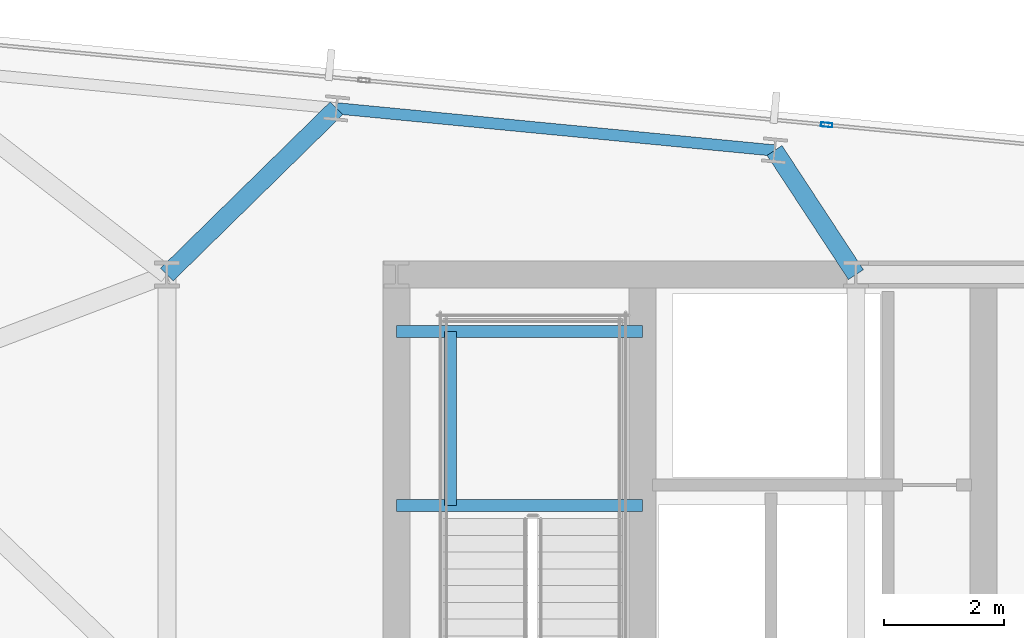
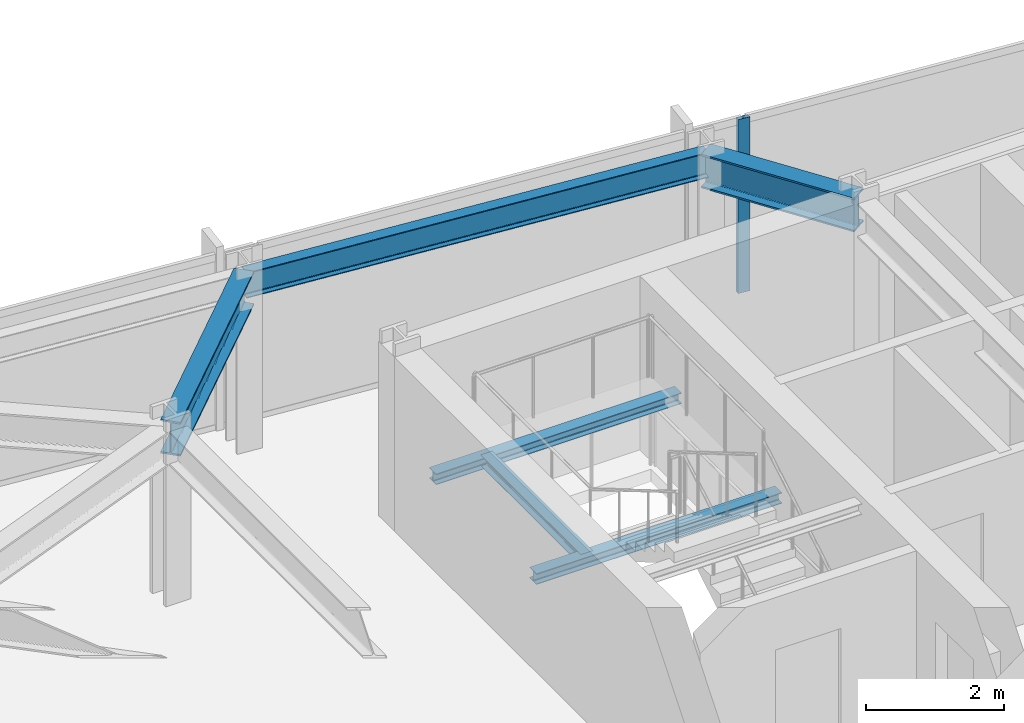
# One storey, part 24 of 37: 6 beams, 1 member, 1 element without a shape of its own.
"""IFC4 building model written with IfcOpenShell, lengths in metres."""

from ifc_helpers import new_model, si_unit, direction, frame, origin, origin_2d, place, context, subcontext, project, spatial, hollow_rectangle, i_section, extrude, material, material_profile, profile_set, type_object, element, aggregate, save


model = new_model("IFC4")

# Units and contexts
model_context = context("Model", 3, precision=1e-05, world=origin(), true_north=direction((0.0, 1.0)))
body_context = subcontext(model_context, "Body", "Model", "MODEL_VIEW")
ifc_project = project(units=[si_unit("LENGTHUNIT", "METRE"), si_unit("AREAUNIT", "SQUARE_METRE"), si_unit("VOLUMEUNIT", "CUBIC_METRE"), si_unit("PLANEANGLEUNIT", "RADIAN"), si_unit("MASSUNIT", "GRAM", prefix="KILO")], contexts=[model_context])

# Site, building, storey
site_placement = place(None, origin())
site = spatial("IfcSite", under=ifc_project, at=site_placement, CompositionType="ELEMENT")
building_placement = place(site_placement, origin())
building = spatial("IfcBuilding", under=site, at=building_placement, Name="Yelkora Congress Tower", CompositionType="ELEMENT")
storey_placement = place(building_placement, frame((0.0, 0.0, 168.800048828125)))
storey = spatial("IfcBuildingStorey", under=building, at=storey_placement, Name="L46", CompositionType="ELEMENT", Elevation=168.800048828125)

# Beams
ifc_material_1 = material(Name="Steel S355J2", Category="steel")
ifc_material_profile_1 = material_profile(ifc_material_1, i_section(OverallWidth=0.300048828125, OverallDepth=0.60009765625, WebThickness=0.015380859375, FlangeThickness=0.030029296875, FilletRadius=0.027099609375, at=origin_2d()), Name="HEB 600")
ifc_profile_set_1 = profile_set([ifc_material_profile_1], Name="Steel S355J2")
beam_type_1 = type_object("IfcBeamType", Name="BM-GIRD-HEB600", PredefinedType="BEAM", material=ifc_profile_set_1)
beam_1_placement = place(storey_placement, frame((22.035400390625, 48.980224609375, 2.780029296875), z_axis=(-0.714019806588, -0.700125500036, 0.0), x_axis=(0.700125500036, -0.714019806588, 0.0)))
element("IfcBeam", 1, at=beam_1_placement, inside=storey, type_object=beam_type_1, Name="L46 Primary Frame Girder N03", PredefinedType="BEAM", context=body_context, shape_type="SweptSolid", body=[
    extrude(i_section(OverallWidth=0.300048828125, OverallDepth=0.60009765625, WebThickness=0.015380859375, FlangeThickness=0.030029296875, FilletRadius=0.027099609375, at=origin_2d()), origin(), (0.0, 0.0, 1.0), 3.97119140625),
])
beam_2_placement = place(storey_placement, frame((29.358642578125, 48.275146484375, 2.780029296875), z_axis=(0.548510321976, -0.8361437835, 0.0), x_axis=(0.8361437835, 0.548510321976, 0.0)))
element("IfcBeam", 2, at=beam_2_placement, inside=storey, type_object=beam_type_1, Name="L46 Primary Frame Girder N04", PredefinedType="BEAM", context=body_context, shape_type="SweptSolid", body=[
    extrude(i_section(OverallWidth=0.300048828125, OverallDepth=0.60009765625, WebThickness=0.015380859375, FlangeThickness=0.030029296875, FilletRadius=0.027099609375, at=origin_2d()), origin(), (0.0, 0.0, 1.0), 2.48193359375),
])
ifc_material_profile_2 = material_profile(ifc_material_1, i_section(OverallWidth=0.199951171875, OverallDepth=0.18994140625, WebThickness=0.006591796875, FlangeThickness=0.010009765625, FilletRadius=0.01806640625, at=origin_2d()), Name="HEA 200")
ifc_profile_set_2 = profile_set([ifc_material_profile_2], Name="Steel S355J2")
beam_type_2 = type_object("IfcBeamType", Name="BM-LAND-HEA200", PredefinedType="BEAM", material=ifc_profile_set_2)
for number, where, z_axis, x_axis, name in (
    (3, (23.0400390625, 42.340087890625, 1.33447265625), (1.0, 0.0, 0.0), (0.0, 1.0, 0.0), "ST-01 L46 Landing Header Beam 1S"),
    (4, (23.0400390625, 45.25, 1.33447265625), (1.0, 0.0, 0.0), (0.0, 1.0, 0.0), "ST-01 L46 Landing Header Beam 1N"),
):
    element("IfcBeam", number, at=place(storey_placement, frame(where, z_axis=z_axis, x_axis=x_axis)), inside=storey, type_object=beam_type_2, Name=name, PredefinedType="BEAM", context=body_context, shape_type="SweptSolid", body=[
        extrude(i_section(OverallWidth=0.199951171875, OverallDepth=0.18994140625, WebThickness=0.006591796875, FlangeThickness=0.010009765625, FilletRadius=0.01806640625, at=origin_2d()), origin(), (0.0, 0.0, 1.0), 4.10986328125),
    ])
beam_3_placement = place(storey_placement, frame((23.93994140625, 42.340087890625, 1.33447265625), z_axis=(0.0, 1.0, 0.0), x_axis=(-1.0, 0.0, 0.0)))
element("IfcBeam", 5, at=beam_3_placement, inside=storey, type_object=beam_type_2, Name="ST-01 L46 Landing Trimmer Beam 1M", PredefinedType="BEAM", context=body_context, shape_type="SweptSolid", body=[
    extrude(i_section(OverallWidth=0.199951171875, OverallDepth=0.18994140625, WebThickness=0.006591796875, FlangeThickness=0.010009765625, FilletRadius=0.01806640625, at=origin_2d()), origin(), (0.0, 0.0, 1.0), 2.909912109375),
])
ifc_material_profile_3 = material_profile(ifc_material_1, i_section(OverallWidth=0.18994140625, OverallDepth=0.449951171875, WebThickness=0.009521484375, FlangeThickness=0.0146484375, FilletRadius=0.02099609375, at=origin_2d()), Name="IPE 450")
ifc_profile_set_3 = profile_set([ifc_material_profile_3], Name="Steel S355J2")
beam_type_3 = type_object("IfcBeamType", Name="BM-SPAN-IPE450", PredefinedType="SPANDREL", material=ifc_profile_set_3)
beam_4_placement = place(storey_placement, frame((29.358642578125, 48.275146484375, 2.85498046875), z_axis=(-0.995397104697, 0.095836339457, 0.0), x_axis=(-0.095836339457, -0.995397104697, 0.0)))
element("IfcBeam", 6, at=beam_4_placement, inside=storey, type_object=beam_type_3, Name="L46 Perimeter Beam 13", PredefinedType="SPANDREL", context=body_context, shape_type="SweptSolid", body=[
    extrude(i_section(OverallWidth=0.18994140625, OverallDepth=0.449951171875, WebThickness=0.009521484375, FlangeThickness=0.0146484375, FilletRadius=0.02099609375, at=origin_2d()), origin(), (0.0, 0.0, 1.0), 7.357177734375),
])

# Curtain wall, member
ifc_material_2 = material(Name="Anodised aluminium and insulated glass", Category="aluminium")
curtain_wall_type = type_object("IfcCurtainWallType", Name="CW-SYS-B3", PredefinedType="NOTDEFINED", material=ifc_material_2)
curtain_wall_placement = place(storey_placement, origin())
curtain_wall = element("IfcCurtainWall", 7, at=curtain_wall_placement, inside=storey, type_object=curtain_wall_type, Name="L46 Unitised Curtain Wall 10 (1)", PredefinedType="NOTDEFINED")
ifc_material_3 = material(Name="Anodised aluminium 6063-T6", Category="aluminium")
ifc_material_profile_4 = material_profile(ifc_material_3, hollow_rectangle(XDim=0.070068359375, YDim=0.18994140625, WallThickness=0.00390625, at=origin_2d()), Name="ALU 70x190x4")
ifc_profile_set_4 = profile_set([ifc_material_profile_4], Name="Anodised aluminium 6063-T6")
member_type = type_object("IfcMemberType", Name="MEM-ML-B3", PredefinedType="MULLION", material=ifc_profile_set_4)
member_placement = place(storey_placement, frame((30.230224609375, 48.70361328125, 0.0), z_axis=(0.0, 0.0, 1.0), x_axis=(0.095844761168, 0.995396293823, 0.0)))
member = element("IfcMember", 8, at=member_placement, type_object=member_type, Name="CW-B3 mullion 4", PredefinedType="MULLION", context=body_context, shape_type="SweptSolid", body=[
    extrude(hollow_rectangle(XDim=0.070068359375, YDim=0.18994140625, WallThickness=0.00390625, at=origin_2d()), origin(), (0.0, 0.0, 1.0), 3.079833984375),
])
aggregate(curtain_wall, [member])

save(model, "model.ifc")
